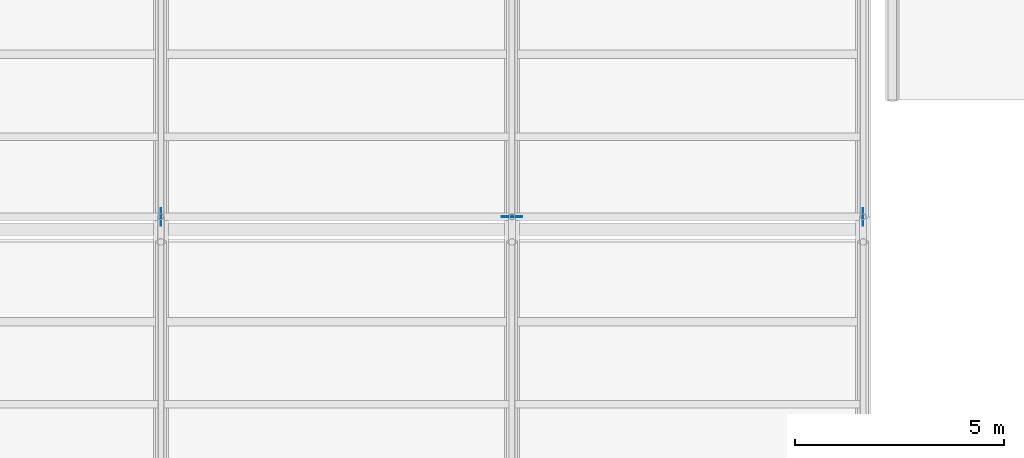
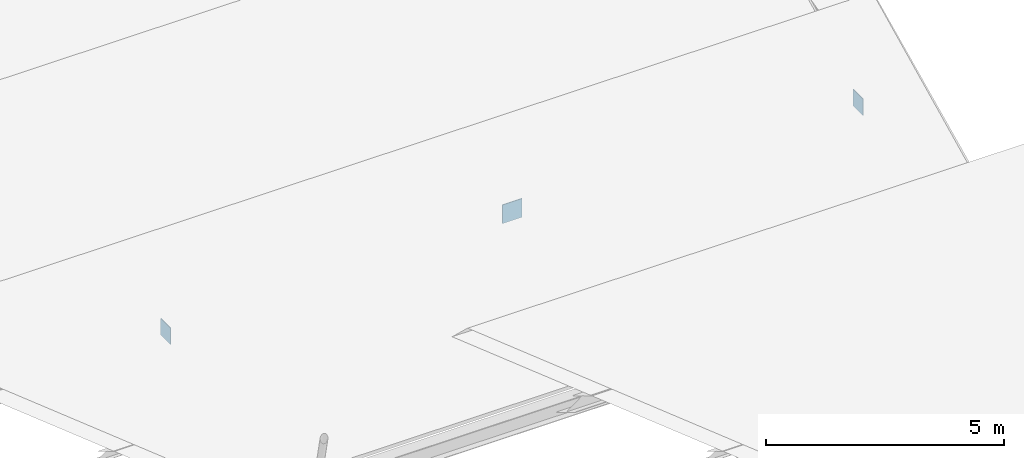
# One storey, part 174 of 194: 3 plates.
"""IFC4 building model written with IfcOpenShell, lengths in metres."""

from ifc_helpers import new_model, si_unit, direction, frame, origin, origin_2d, place, context, subcontext, project, spatial, rectangle, extrude, material, layer, layer_set, type_object, element, save


model = new_model("IFC4")

# Units and contexts
model_context = context("Model", 3, precision=1e-05, world=origin(), true_north=direction((0.0, 1.0)))
body_context = subcontext(model_context, "Body", "Model", "MODEL_VIEW")
ifc_project = project(units=[si_unit("LENGTHUNIT", "METRE"), si_unit("AREAUNIT", "SQUARE_METRE"), si_unit("VOLUMEUNIT", "CUBIC_METRE"), si_unit("PLANEANGLEUNIT", "RADIAN"), si_unit("MASSUNIT", "GRAM", prefix="KILO")], contexts=[model_context])

# Site, building, storey
site_placement = place(None, origin())
site = spatial("IfcSite", under=ifc_project, at=site_placement, CompositionType="ELEMENT")
building_placement = place(site_placement, origin())
building = spatial("IfcBuilding", under=site, at=building_placement, Name="Kazenagashi Tramway Depot", CompositionType="ELEMENT")
storey_placement = place(building_placement, frame((0.0, 0.0, 23.7)))
storey = spatial("IfcBuildingStorey", under=building, at=storey_placement, Name="ROOF", CompositionType="ELEMENT", Elevation=23.7)

# Plates
ifc_material = material(Name="Steel SN490B", Category="steel")
ifc_layer_1 = layer(ifc_material, 0.019)
ifc_layer_set_1 = layer_set([ifc_layer_1], Name="Steel SN490B")
plate_type_1 = type_object("IfcPlateType", Name="GP-02", PredefinedType="USERDEFINED", material=ifc_layer_set_1)
plate_placement = place(storey_placement, frame((137.2, 35.7, -8.84), z_axis=(0.0, 0.0, 1.0), x_axis=(1.0, 0.0, 0.0)))
element("IfcPlate", 1, at=plate_placement, inside=storey, type_object=plate_type_1, Name="Structural Node Plate GP-02 PLT-0134", ObjectType="GUSSET PLATE", PredefinedType="USERDEFINED", context=body_context, shape_type="SweptSolid", body=[
    extrude(rectangle(XDim=0.48, YDim=0.019, at=origin_2d()), origin(), (0.0, 0.0, 1.0), 0.48),
])
ifc_layer_2 = layer(ifc_material, 0.016)
ifc_layer_set_2 = layer_set([ifc_layer_2], Name="Steel SN490B")
plate_type_2 = type_object("IfcPlateType", Name="GP-03", PredefinedType="USERDEFINED", material=ifc_layer_set_2)
for number, where, z_axis, x_axis, name in (
    (2, (128.8, 35.7, -8.96), (0.0, 0.0, 1.0), (0.0, 1.0, 0.0), "Structural Node Plate GP-03 PLT-0087"),
    (3, (145.6, 35.7, -8.96), (0.0, 0.0, 1.0), (0.0, 1.0, 0.0), "Structural Node Plate GP-03 PLT-0089"),
):
    element("IfcPlate", number, at=place(storey_placement, frame(where, z_axis=z_axis, x_axis=x_axis)), inside=storey, type_object=plate_type_2, Name=name, ObjectType="GUSSET PLATE", PredefinedType="USERDEFINED", context=body_context, shape_type="SweptSolid", body=[
        extrude(rectangle(XDim=0.42, YDim=0.016, at=origin_2d()), origin(), (0.0, 0.0, 1.0), 0.42),
    ])

save(model, "model.ifc")
